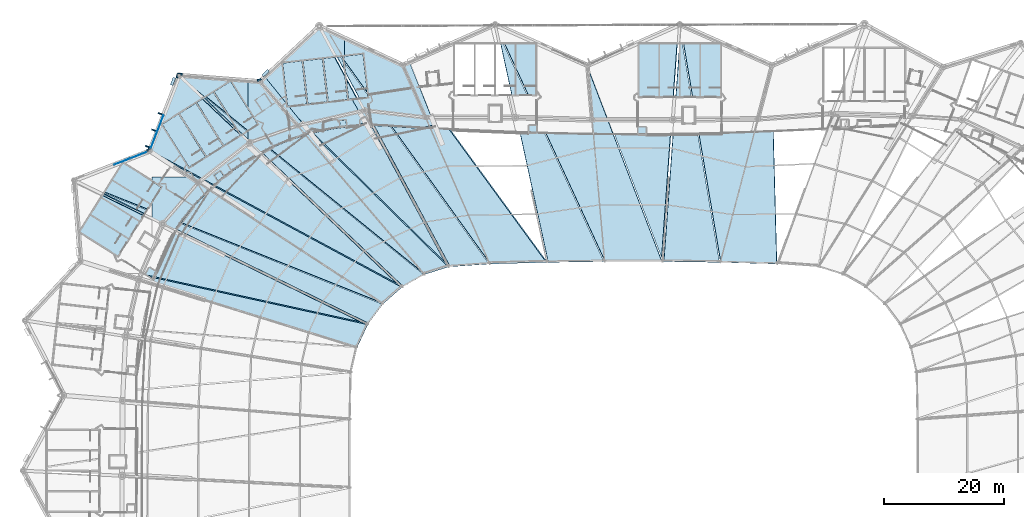
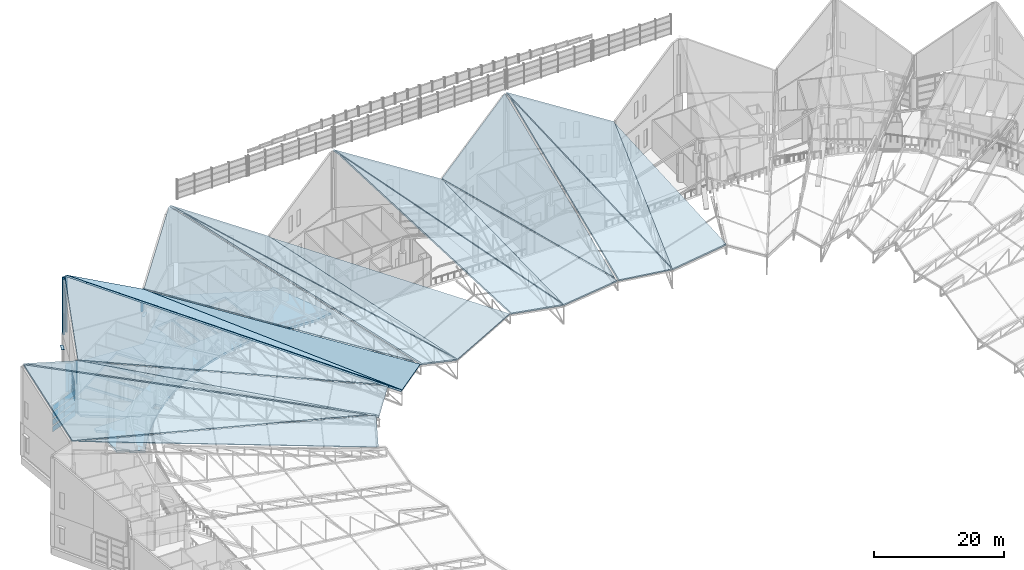
# One storey, part 236 of 344: 25 slabs, 24 plates, 2 elements without a shape of their own.
"""IFC4 building model written with IfcOpenShell, lengths in metres."""

import ifcopenshell
import ifcopenshell.guid

model = None  # the IFC model being written
_history = None  # IfcOwnerHistory: only IFC2X3 demands one
_inside = {}  # id of a spatial element -> (the spatial element, [elements in it])
_under = {}  # id of a project, library or spatial element -> (it, [spatial elements below it])
_declared = {}  # id of a project -> (the project, [libraries it declares])
_typed = {}  # id of a type object -> (the type object, [elements of that type])
_made_of = {}  # id of a material, layer set ... -> (it, [elements and type objects made of it])


def new_model(schema):
    """Start an empty IFC model of exactly this schema.

    Asked for "IFC4X3", IfcOpenShell would pick the latest addendum, in which some entities
    have other attributes; the version numbers below select the first issue.
    IFC2X3 requires an IfcOwnerHistory on every rooted entity: one is made here for all.
    """
    global model, _history
    if schema == "IFC4X3":
        model = ifcopenshell.file(schema_version=(4, 3, 0, 0))
    else:
        model = ifcopenshell.file(schema=schema)
    _inside.clear()
    _under.clear()
    _declared.clear()
    _typed.clear()
    _made_of.clear()
    _history = None
    if model.schema == "IFC2X3":
        org = make("IfcOrganization", Name="unknown")
        user = make(
            "IfcPersonAndOrganization",
            ThePerson=make("IfcPerson", FamilyName="unknown"),
            TheOrganization=org,
        )
        app = make(
            "IfcApplication",
            ApplicationDeveloper=org,
            Version="unknown",
            ApplicationFullName="unknown",
            ApplicationIdentifier="unknown",
        )
        _history = make(
            "IfcOwnerHistory",
            OwningUser=user,
            OwningApplication=app,
            ChangeAction="ADDED",
            CreationDate=0,
        )
    return model


def make(cls, **values):
    """One entity of the class cls with the attributes given. An attribute that is None is left unset."""
    return model.create_entity(
        cls, **{name: value for name, value in values.items() if value is not None}
    )


def rooted(cls, **values):
    """An entity with a GlobalId (a new one), such as an element, a storey or a relation."""
    return make(cls, GlobalId=ifcopenshell.guid.new(), OwnerHistory=_history, **values)


def si_unit(unit_type, name, prefix=None):
    """IfcSIUnit, for example si_unit("LENGTHUNIT", "METRE", prefix="MILLI")."""
    return make("IfcSIUnit", UnitType=unit_type, Prefix=prefix, Name=name)


def assignment(units):
    """IfcUnitAssignment: the units of a project."""
    return None if units is None else make("IfcUnitAssignment", Units=units)


def point(xyz):
    """IfcCartesianPoint."""
    return None if xyz is None else make("IfcCartesianPoint", Coordinates=xyz)


def direction(xyz):
    """IfcDirection."""
    return None if xyz is None else make("IfcDirection", DirectionRatios=xyz)


def frame(location, z_axis=None, x_axis=None):
    """IfcAxis2Placement3D, a coordinate frame: its origin and axes. An axis left out is left unset."""
    return make(
        "IfcAxis2Placement3D",
        Location=point(location),
        Axis=direction(z_axis),
        RefDirection=direction(x_axis),
    )


def frame_2d(location, x_axis=None):
    """IfcAxis2Placement2D, a coordinate frame in the plane: its origin and x axis."""
    return make(
        "IfcAxis2Placement2D", Location=point(location), RefDirection=direction(x_axis)
    )


def origin():
    """The frame at (0, 0, 0) with its axes left unset."""
    return frame((0.0, 0.0, 0.0))


def origin_2d():
    """The frame at (0, 0) in the plane with its x axis left unset."""
    return frame_2d((0.0, 0.0))


def place(relative_to, where):
    """IfcLocalPlacement: puts the frame where relative to a parent placement (None: the world)."""
    return make(
        "IfcLocalPlacement", PlacementRelTo=relative_to, RelativePlacement=where
    )


def context(
    kind, dimensions, precision=None, world=None, true_north=None, identifier=None
):
    """IfcGeometricRepresentationContext, for example the 3D "Model" context."""
    return make(
        "IfcGeometricRepresentationContext",
        ContextIdentifier=identifier,
        ContextType=kind,
        CoordinateSpaceDimension=dimensions,
        Precision=precision,
        WorldCoordinateSystem=world,
        TrueNorth=true_north,
    )


def subcontext(parent, identifier, kind, view, scale=None):
    """IfcGeometricRepresentationSubContext, for example "Body" below "Model"."""
    return make(
        "IfcGeometricRepresentationSubContext",
        ContextIdentifier=identifier,
        ContextType=kind,
        ParentContext=parent,
        TargetScale=scale,
        TargetView=view,
    )


def project(units=None, contexts=None):
    """IfcProject with its units and contexts."""
    return rooted(
        "IfcProject",
        Name="project",
        RepresentationContexts=contexts,
        UnitsInContext=assignment(units),
    )


def spatial(cls, under=None, at=None, **own):
    """A site, building, storey or space (cls), placed at a placement, below another one or the project."""
    s = rooted(cls, ObjectPlacement=at, **own)
    if under is not None:
        _under.setdefault(under.id(), (under, []))[1].append(s)
    return s


def polyline(points):
    """IfcPolyline through the points."""
    return make("IfcPolyline", Points=[point(p) for p in points])


def profile(cls, at=None, kind="AREA", **sizes):
    """A parametric profile (cls). Its sizes go by their IFC names, for example OverallWidth=200.0."""
    return make(cls, ProfileType=kind, Position=at, **sizes)


def rectangle(**sizes):
    """IfcRectangleProfileDef."""
    return profile("IfcRectangleProfileDef", **sizes)


def outline(outer, holes=None, kind="AREA"):
    """IfcArbitraryClosedProfileDef: a profile drawn as a closed curve; with holes, ...WithVoids."""
    if holes is None:
        return make("IfcArbitraryClosedProfileDef", ProfileType=kind, OuterCurve=outer)
    return make(
        "IfcArbitraryProfileDefWithVoids",
        ProfileType=kind,
        OuterCurve=outer,
        InnerCurves=holes,
    )


def extrude(swept, where, along, depth):
    """IfcExtrudedAreaSolid: the profile swept, set in the frame where, extruded along a direction by depth."""
    return make(
        "IfcExtrudedAreaSolid",
        SweptArea=swept,
        Position=where,
        ExtrudedDirection=direction(along),
        Depth=depth,
    )


def shape(context_of_items, identifier, shape_type, items):
    """IfcShapeRepresentation: the items that make up one representation, for example the "Body"."""
    return make(
        "IfcShapeRepresentation",
        ContextOfItems=context_of_items,
        RepresentationIdentifier=identifier,
        RepresentationType=shape_type,
        Items=items,
    )


def material(Name=None, Category=None):
    """IfcMaterial."""
    return make("IfcMaterial", Name=Name, Category=Category)


def layer(
    of_material, thickness, ventilated=None, Name=None, Category=None, Priority=None
):
    """IfcMaterialLayer: one layer of a wall or slab, of a material (None: an air gap)."""
    return make(
        "IfcMaterialLayer",
        Material=of_material,
        LayerThickness=thickness,
        IsVentilated=ventilated,
        Name=Name,
        Category=Category,
        Priority=Priority,
    )


def layer_set(layers, Name=None):
    """IfcMaterialLayerSet."""
    return make("IfcMaterialLayerSet", MaterialLayers=layers, LayerSetName=Name)


def made_of(thing, what):
    """Note that an element or type object is made of a material, layer set ...; save() writes the relation."""
    if what is not None:
        _made_of.setdefault(what.id(), (what, []))[1].append(thing)
    return thing


def type_object(cls, material=None, **own):
    """A type object (cls), such as IfcWallType, which elements share."""
    return made_of(rooted(cls, **own), material)


def element(
    cls,
    number,
    at=None,
    inside=None,
    cuts=None,
    type_object=None,
    material=None,
    context=None,
    identifier="Body",
    shape_type=None,
    held_by="IfcProductDefinitionShape",
    body=None,
    shapes=None,
    **own,
):
    """One element of the class cls, such as IfcWall. Its Tag is "e" and its number.

    at: its placement. inside: the storey or other place that contains it. cuts: it is an
    opening in that element (IfcRelVoidsElement). A single representation is given by context,
    identifier, shape_type and body (its items); several are given by shapes. held_by: the class
    of the entity that holds the representations. save() writes the other relations.
    """
    e = rooted(cls, Tag="e%d" % number, ObjectPlacement=at, **own)
    if body is not None:
        shapes = [shape(context, identifier, shape_type, body)]
    if shapes is not None:
        e.Representation = make(held_by, Representations=shapes)
    if inside is not None:
        _inside.setdefault(inside.id(), (inside, []))[1].append(e)
    if cuts is not None:
        rooted(
            "IfcRelVoidsElement", RelatingBuildingElement=cuts, RelatedOpeningElement=e
        )
    if type_object is not None:
        _typed.setdefault(type_object.id(), (type_object, []))[1].append(e)
    return made_of(e, material)


def aggregate(whole, parts):
    """IfcRelAggregates: a whole, such as a stair, and the parts it consists of."""
    return rooted("IfcRelAggregates", RelatingObject=whole, RelatedObjects=parts)


def save(model, path):
    """Write the relations noted so far, then the file.

    IfcRelAggregates (storeys below a building ...), IfcRelContainedInSpatialStructure (elements
    in a storey), IfcRelDefinesByType, IfcRelAssociatesMaterial and IfcRelDeclares: one each for
    every whole, place, type object, material and project.
    """
    for whole, parts in _under.values():
        aggregate(whole, parts)
    for where, things in _inside.values():
        rooted(
            "IfcRelContainedInSpatialStructure",
            RelatedElements=things,
            RelatingStructure=where,
        )
    for kind, things in _typed.values():
        rooted("IfcRelDefinesByType", RelatedObjects=things, RelatingType=kind)
    for what, things in _made_of.values():
        rooted("IfcRelAssociatesMaterial", RelatedObjects=things, RelatingMaterial=what)
    for by, libraries in _declared.values():
        rooted("IfcRelDeclares", RelatingContext=by, RelatedDefinitions=libraries)
    model.write(path)


model = new_model("IFC4")

# Units and contexts
model_context = context("Model", 3, precision=1e-05, world=origin(), true_north=direction((0.0, 1.0)))
body_context = subcontext(model_context, "Body", "Model", "MODEL_VIEW")
ifc_project = project(units=[si_unit("LENGTHUNIT", "METRE"), si_unit("AREAUNIT", "SQUARE_METRE"), si_unit("VOLUMEUNIT", "CUBIC_METRE"), si_unit("PLANEANGLEUNIT", "RADIAN"), si_unit("MASSUNIT", "GRAM", prefix="KILO")], contexts=[model_context])

# Site, building, storey
site_placement = place(None, origin())
site = spatial("IfcSite", under=ifc_project, at=site_placement, CompositionType="ELEMENT")
building_placement = place(site_placement, origin())
building = spatial("IfcBuilding", under=site, at=building_placement, Name="Meseta Stadium", CompositionType="ELEMENT")
storey_placement = place(building_placement, frame((0.0, 0.0, 24.0)))
storey = spatial("IfcBuildingStorey", under=building, at=storey_placement, Name="L04", CompositionType="ELEMENT", Elevation=24.0)

# Plates
ifc_material_1 = material(Name="White precast concrete C40/50", Category="concrete")
ifc_layer_1 = layer(ifc_material_1, 0.199951171875)
ifc_layer_set_1 = layer_set([ifc_layer_1], Name="Brise-soleil fin 200x900")
plate_type_1 = type_object("IfcPlateType", Name="Brise-soleil fin 200x900", PredefinedType="USERDEFINED", material=ifc_layer_set_1)
for number, where, z_axis, x_axis, name in (
    (1, (-78.538818359375, 90.4951171875, 0.0), (0.0, 0.0, 1.0), (-0.363280249803, -0.931679912901, 0.0), "Brise-soleil fin F24.1"),
    (2, (-79.601318359375, 87.77001953125, 0.0), (0.0, 0.0, 1.0), (-0.363280249803, -0.931679912901, 0.0), "Brise-soleil fin F24.2"),
    (3, (-80.663818359375, 85.044921875, 0.0), (0.0, 0.0, 1.0), (-0.363280249803, -0.931679912901, 0.0), "Brise-soleil fin F24.3"),
):
    element("IfcPlate", number, at=place(storey_placement, frame(where, z_axis=z_axis, x_axis=x_axis)), inside=storey, type_object=plate_type_1, Name=name, ObjectType="FIN", PredefinedType="USERDEFINED", context=body_context, shape_type="SweptSolid", body=[
        extrude(rectangle(XDim=0.199951171875, YDim=0.89990234375, at=origin_2d()), origin(), (0.0, 0.0, 1.0), 5.35009765625),
    ])

# Curtain wall, plates
ifc_material_2 = material(Name="Steel S355", Category="steel")
ifc_layer_2 = layer(ifc_material_2, 0.300048828125)
ifc_layer_set_2 = layer_set([ifc_layer_2], Name="Valley atrium curtain wall")
curtain_wall_type = type_object("IfcCurtainWallType", Name="Valley atrium curtain wall", PredefinedType="NOTDEFINED", material=ifc_layer_set_2)
curtain_wall_1_placement = place(storey_placement, origin())
curtain_wall_1 = element("IfcCurtainWall", 4, at=curtain_wall_1_placement, inside=storey, type_object=curtain_wall_type, Name="Valley atrium glazing F24", PredefinedType="NOTDEFINED")
ifc_material_3 = material(Name="Glass", Category="glass")
ifc_layer_3 = layer(ifc_material_3, 0.035888671875)
ifc_layer_set_3 = layer_set([ifc_layer_3], Name="CW glass panel 36")
plate_type_2 = type_object("IfcPlateType", Name="CW glass panel 36", PredefinedType="CURTAIN_PANEL", material=ifc_layer_set_3)
plate_1_placement = place(storey_placement, frame((-78.580810546875, 88.94189453125, 0.199951171875), z_axis=(0.0, 0.0, 1.0), x_axis=(-0.363280249803, -0.931679912901, 0.0)))
plate_1 = element("IfcPlate", 5, at=plate_1_placement, type_object=plate_type_2, Name="CWA panel 1.1", PredefinedType="CURTAIN_PANEL", context=body_context, shape_type="SweptSolid", body=[
    extrude(rectangle(XDim=2.77490234375, YDim=0.035888671875, at=origin_2d()), origin(), (0.0, 0.0, 1.0), 1.03759765625),
])
plate_2_placement = place(storey_placement, frame((-78.580810546875, 88.94189453125, 1.4375), z_axis=(0.0, 0.0, 1.0), x_axis=(-0.363280249803, -0.931679912901, 0.0)))
plate_2 = element("IfcPlate", 6, at=plate_2_placement, type_object=plate_type_2, Name="CWA panel 1.2", PredefinedType="CURTAIN_PANEL", context=body_context, shape_type="SweptSolid", body=[
    extrude(rectangle(XDim=2.77490234375, YDim=0.035888671875, at=origin_2d()), origin(), (0.0, 0.0, 1.0), 1.137451171875),
])
plate_3_placement = place(storey_placement, frame((-78.580810546875, 88.94189453125, 2.77490234375), z_axis=(0.0, 0.0, 1.0), x_axis=(-0.363280249803, -0.931679912901, 0.0)))
plate_3 = element("IfcPlate", 7, at=plate_3_placement, type_object=plate_type_2, Name="CWA panel 1.3", PredefinedType="CURTAIN_PANEL", context=body_context, shape_type="SweptSolid", body=[
    extrude(rectangle(XDim=2.77490234375, YDim=0.035888671875, at=origin_2d()), origin(), (0.0, 0.0, 1.0), 1.137451171875),
])
plate_4_placement = place(storey_placement, frame((-78.580810546875, 88.94189453125, 4.112548828125), z_axis=(0.0, 0.0, 1.0), x_axis=(-0.363280249803, -0.931679912901, 0.0)))
plate_4 = element("IfcPlate", 8, at=plate_4_placement, type_object=plate_type_2, Name="CWA panel 1.4", PredefinedType="CURTAIN_PANEL", context=body_context, shape_type="SweptSolid", body=[
    extrude(rectangle(XDim=2.77490234375, YDim=0.035888671875, at=origin_2d()), origin(), (0.0, 0.0, 1.0), 1.03759765625),
])
plate_5_placement = place(storey_placement, frame((-79.6435546875, 86.216796875, 0.199951171875), z_axis=(0.0, 0.0, 1.0), x_axis=(-0.363280249803, -0.931679912901, 0.0)))
plate_5 = element("IfcPlate", 9, at=plate_5_placement, type_object=plate_type_2, Name="CWA panel 2.1", PredefinedType="CURTAIN_PANEL", context=body_context, shape_type="SweptSolid", body=[
    extrude(rectangle(XDim=2.77490234375, YDim=0.035888671875, at=origin_2d()), origin(), (0.0, 0.0, 1.0), 1.03759765625),
])
plate_6_placement = place(storey_placement, frame((-79.6435546875, 86.216796875, 1.4375), z_axis=(0.0, 0.0, 1.0), x_axis=(-0.363280249803, -0.931679912901, 0.0)))
plate_6 = element("IfcPlate", 10, at=plate_6_placement, type_object=plate_type_2, Name="CWA panel 2.2", PredefinedType="CURTAIN_PANEL", context=body_context, shape_type="SweptSolid", body=[
    extrude(rectangle(XDim=2.77490234375, YDim=0.035888671875, at=origin_2d()), origin(), (0.0, 0.0, 1.0), 1.137451171875),
])
plate_7_placement = place(storey_placement, frame((-79.6435546875, 86.216796875, 2.77490234375), z_axis=(0.0, 0.0, 1.0), x_axis=(-0.363280249803, -0.931679912901, 0.0)))
plate_7 = element("IfcPlate", 11, at=plate_7_placement, type_object=plate_type_2, Name="CWA panel 2.3", PredefinedType="CURTAIN_PANEL", context=body_context, shape_type="SweptSolid", body=[
    extrude(rectangle(XDim=2.77490234375, YDim=0.035888671875, at=origin_2d()), origin(), (0.0, 0.0, 1.0), 1.137451171875),
])
plate_8_placement = place(storey_placement, frame((-79.6435546875, 86.216796875, 4.112548828125), z_axis=(0.0, 0.0, 1.0), x_axis=(-0.363280249803, -0.931679912901, 0.0)))
plate_8 = element("IfcPlate", 12, at=plate_8_placement, type_object=plate_type_2, Name="CWA panel 2.4", PredefinedType="CURTAIN_PANEL", context=body_context, shape_type="SweptSolid", body=[
    extrude(rectangle(XDim=2.77490234375, YDim=0.035888671875, at=origin_2d()), origin(), (0.0, 0.0, 1.0), 1.03759765625),
])
aggregate(curtain_wall_1, [plate_1, plate_2, plate_3, plate_4, plate_5, plate_6, plate_7, plate_8])

curtain_wall_2_placement = place(storey_placement, origin())
curtain_wall_2 = element("IfcCurtainWall", 13, at=curtain_wall_2_placement, inside=storey, type_object=curtain_wall_type, Name="Valley atrium glazing F25", PredefinedType="NOTDEFINED")
plate_9_placement = place(storey_placement, frame((-82.216796875, 83.6435546875, 0.199951171875), z_axis=(0.0, 0.0, 1.0), x_axis=(-0.931679912901, -0.363280249803, 0.0)))
plate_9 = element("IfcPlate", 14, at=plate_9_placement, type_object=plate_type_2, Name="CWA panel 1.1", PredefinedType="CURTAIN_PANEL", context=body_context, shape_type="SweptSolid", body=[
    extrude(rectangle(XDim=2.77490234375, YDim=0.035888671875, at=origin_2d()), origin(), (0.0, 0.0, 1.0), 1.03759765625),
])
plate_10_placement = place(storey_placement, frame((-82.216796875, 83.6435546875, 1.4375), z_axis=(0.0, 0.0, 1.0), x_axis=(-0.931679912901, -0.363280249803, 0.0)))
plate_10 = element("IfcPlate", 15, at=plate_10_placement, type_object=plate_type_2, Name="CWA panel 1.2", PredefinedType="CURTAIN_PANEL", context=body_context, shape_type="SweptSolid", body=[
    extrude(rectangle(XDim=2.77490234375, YDim=0.035888671875, at=origin_2d()), origin(), (0.0, 0.0, 1.0), 1.137451171875),
])
plate_11_placement = place(storey_placement, frame((-82.216796875, 83.6435546875, 2.77490234375), z_axis=(0.0, 0.0, 1.0), x_axis=(-0.931679912901, -0.363280249803, 0.0)))
plate_11 = element("IfcPlate", 16, at=plate_11_placement, type_object=plate_type_2, Name="CWA panel 1.3", PredefinedType="CURTAIN_PANEL", context=body_context, shape_type="SweptSolid", body=[
    extrude(rectangle(XDim=2.77490234375, YDim=0.035888671875, at=origin_2d()), origin(), (0.0, 0.0, 1.0), 1.137451171875),
])
plate_12_placement = place(storey_placement, frame((-82.216796875, 83.6435546875, 4.112548828125), z_axis=(0.0, 0.0, 1.0), x_axis=(-0.931679912901, -0.363280249803, 0.0)))
plate_12 = element("IfcPlate", 17, at=plate_12_placement, type_object=plate_type_2, Name="CWA panel 1.4", PredefinedType="CURTAIN_PANEL", context=body_context, shape_type="SweptSolid", body=[
    extrude(rectangle(XDim=2.77490234375, YDim=0.035888671875, at=origin_2d()), origin(), (0.0, 0.0, 1.0), 1.03759765625),
])
plate_13_placement = place(storey_placement, frame((-84.94189453125, 82.580810546875, 0.199951171875), z_axis=(0.0, 0.0, 1.0), x_axis=(-0.931679912901, -0.363280249803, 0.0)))
plate_13 = element("IfcPlate", 18, at=plate_13_placement, type_object=plate_type_2, Name="CWA panel 2.1", PredefinedType="CURTAIN_PANEL", context=body_context, shape_type="SweptSolid", body=[
    extrude(rectangle(XDim=2.77490234375, YDim=0.035888671875, at=origin_2d()), origin(), (0.0, 0.0, 1.0), 1.03759765625),
])
plate_14_placement = place(storey_placement, frame((-84.94189453125, 82.580810546875, 1.4375), z_axis=(0.0, 0.0, 1.0), x_axis=(-0.931679912901, -0.363280249803, 0.0)))
plate_14 = element("IfcPlate", 19, at=plate_14_placement, type_object=plate_type_2, Name="CWA panel 2.2", PredefinedType="CURTAIN_PANEL", context=body_context, shape_type="SweptSolid", body=[
    extrude(rectangle(XDim=2.77490234375, YDim=0.035888671875, at=origin_2d()), origin(), (0.0, 0.0, 1.0), 1.137451171875),
])
plate_15_placement = place(storey_placement, frame((-84.94189453125, 82.580810546875, 2.77490234375), z_axis=(0.0, 0.0, 1.0), x_axis=(-0.931679912901, -0.363280249803, 0.0)))
plate_15 = element("IfcPlate", 20, at=plate_15_placement, type_object=plate_type_2, Name="CWA panel 2.3", PredefinedType="CURTAIN_PANEL", context=body_context, shape_type="SweptSolid", body=[
    extrude(rectangle(XDim=2.77490234375, YDim=0.035888671875, at=origin_2d()), origin(), (0.0, 0.0, 1.0), 1.137451171875),
])
plate_16_placement = place(storey_placement, frame((-84.94189453125, 82.580810546875, 4.112548828125), z_axis=(0.0, 0.0, 1.0), x_axis=(-0.931679912901, -0.363280249803, 0.0)))
plate_16 = element("IfcPlate", 21, at=plate_16_placement, type_object=plate_type_2, Name="CWA panel 2.4", PredefinedType="CURTAIN_PANEL", context=body_context, shape_type="SweptSolid", body=[
    extrude(rectangle(XDim=2.77490234375, YDim=0.035888671875, at=origin_2d()), origin(), (0.0, 0.0, 1.0), 1.03759765625),
])
aggregate(curtain_wall_2, [plate_9, plate_10, plate_11, plate_12, plate_13, plate_14, plate_15, plate_16])

# Slabs
ifc_material_4 = material(Name="Concrete C40/50", Category="concrete")
ifc_layer_4 = layer(ifc_material_4, 0.39990234375)
ifc_layer_set_4 = layer_set([ifc_layer_4], Name="Floor slab 400")
slab_type_1 = type_object("IfcSlabType", Name="Floor slab 400", PredefinedType="FLOOR", material=ifc_layer_set_4)
slab_1_placement = place(storey_placement, frame((0.0, 0.0, -0.39990234375)))
element("IfcSlab", 22, at=slab_1_placement, inside=storey, type_object=slab_type_1, Name="Floor slab L04 sector 21 panel 05", PredefinedType="FLOOR", context=body_context, shape_type="SweptSolid", body=[
    extrude(outline(polyline([(-73.699951171875, 80.0), (-80.0, 80.0), (-80.0, 79.276611328125), (-78.505859375, 78.337646484375), (-80.0, 75.959716796875), (-80.0, 73.154296875), (-78.197998046875, 72.27197265625), (-78.303466796875, 72.0263671875), (-76.15234375, 70.99169921875), (-75.256103515625, 72.287353515625), (-74.30859375, 73.546142578125), (-73.31103515625, 74.76611328125), (-72.264892578125, 75.945068359375), (-71.172119140625, 77.0810546875), (-70.034423828125, 78.172607421875), (-71.885986328125, 79.422607421875), (-72.31201171875, 79.091064453125), (-73.699951171875, 80.0)])), origin(), (0.0, 0.0, 1.0), 0.39990234375),
])
slab_2_placement = place(storey_placement, frame((0.0, 0.0, -0.39990234375)))
element("IfcSlab", 23, at=slab_2_placement, inside=storey, type_object=slab_type_1, Name="Floor slab L04 sector 21 panel 06", PredefinedType="FLOOR", context=body_context, shape_type="SweptSolid", body=[
    extrude(outline(polyline([(-75.825927734375, 96.00732421875), (-75.818115234375, 96.0), (-75.828857421875, 96.0), (-80.124267578125, 84.98388671875), (-80.0, 84.89990234375), (-80.0, 84.126220703125), (-72.31201171875, 79.091064453125), (-71.885986328125, 79.422607421875), (-70.034423828125, 78.172607421875), (-68.853515625, 79.217529296875), (-67.894287109375, 80.0), (-67.63134765625, 80.21435546875), (-66.36962890625, 81.161376953125), (-65.07080078125, 82.05712890625), (-63.736572265625, 82.89990234375), (-62.369384765625, 83.688720703125), (-64.0, 85.181396484375), (-64.0, 85.5615234375), (-63.731201171875, 85.77099609375), (-64.0, 86.02587890625), (-64.0, 87.8203125), (-65.1689453125, 87.085693359375), (-69.63818359375, 94.1982421875), (-66.9287109375, 95.90087890625), (-64.0, 91.239990234375), (-64.0, 96.023193359375), (-75.474609375, 96.908447265625), (-75.825927734375, 96.00732421875)]), holes=[polyline([(-69.62158203125, 80.357177734375), (-68.605712890625, 80.99560546875), (-67.967041015625, 79.9794921875), (-68.983154296875, 79.341064453125), (-69.62158203125, 80.357177734375)]), polyline([(-65.33837890625, 86.9794921875), (-68.0478515625, 85.27685546875), (-72.516845703125, 92.389404296875), (-69.807373046875, 94.091796875), (-65.33837890625, 86.9794921875)]), polyline([(-71.09619140625, 83.361572265625), (-73.8056640625, 81.6591796875), (-78.274658203125, 88.771484375), (-75.565185546875, 90.47412109375), (-71.09619140625, 83.361572265625)]), polyline([(-68.21728515625, 85.17041015625), (-70.9267578125, 83.468017578125), (-75.395751953125, 90.58056640625), (-72.686279296875, 92.282958984375), (-68.21728515625, 85.17041015625)])]), origin(), (0.0, 0.0, 1.0), 0.39990234375),
])
slab_3_placement = place(storey_placement, frame((0.0, 0.0, -0.39990234375)))
element("IfcSlab", 24, at=slab_3_placement, inside=storey, type_object=slab_type_1, Name="Floor slab L04 sector 21 panel 07", PredefinedType="FLOOR", context=body_context, shape_type="SweptSolid", body=[
    extrude(outline(polyline([(-62.051513671875, 95.872802734375), (-64.0, 96.023193359375), (-64.0, 91.239990234375), (-62.45947265625, 88.788330078125), (-64.0, 87.8203125), (-64.0, 86.02587890625), (-63.731201171875, 85.77099609375), (-64.0, 85.5615234375), (-64.0, 85.181396484375), (-62.369384765625, 83.688720703125), (-60.97119140625, 84.422119140625), (-59.54443359375, 85.098388671875), (-58.091552734375, 85.717041015625), (-56.614501953125, 86.27685546875), (-55.115966796875, 86.77685546875), (-53.59814453125, 87.216064453125), (-57.296142578125, 91.798095703125), (-57.449951171875, 91.78076171875), (-57.477294921875, 92.0224609375), (-61.21435546875, 96.653076171875), (-62.051513671875, 95.872802734375)])), origin(), (0.0, 0.0, 1.0), 0.39990234375),
])
slab_4_placement = place(storey_placement, frame((0.0, 0.0, -0.39990234375)))
element("IfcSlab", 25, at=slab_4_placement, inside=storey, type_object=slab_type_1, Name="Floor slab L04 sector 21 panel 08", PredefinedType="FLOOR", context=body_context, shape_type="SweptSolid", body=[
    extrude(outline(polyline([(-47.38671875, 88.352783203125), (-46.056396484375, 88.459716796875), (-44.609619140625, 89.165771484375), (-44.50439453125, 89.01318359375), (-44.232421875, 88.542236328125), (-44.232177734375, 88.542236328125), (-46.7978515625, 92.98095703125), (-47.314208984375, 92.9228515625), (-48.1201171875, 100.077392578125), (-48.0, 100.091064453125), (-48.0, 103.0966796875), (-52.202880859375, 105.0517578125), (-61.21435546875, 96.653076171875), (-57.477294921875, 92.0224609375), (-58.256103515625, 98.935302734375), (-55.076171875, 99.293701171875), (-54.27001953125, 92.138916015625), (-57.296142578125, 91.798095703125), (-53.59814453125, 87.216064453125), (-52.06396484375, 87.593994140625), (-50.515380859375, 87.90966796875), (-48.95556640625, 88.162841796875), (-47.38671875, 88.352783203125)]), holes=[polyline([(-48.825439453125, 89.3662109375), (-47.781982421875, 89.483642578125), (-47.669921875, 88.489990234375), (-48.71337890625, 88.37255859375), (-48.825439453125, 89.3662109375)]), polyline([(-47.5126953125, 92.900390625), (-50.692626953125, 92.5419921875), (-51.498779296875, 99.69677734375), (-48.319091796875, 100.05517578125), (-47.5126953125, 92.900390625)]), polyline([(-54.0712890625, 92.161376953125), (-54.87744140625, 99.316162109375), (-51.697509765625, 99.67431640625), (-50.8916015625, 92.519775390625), (-54.0712890625, 92.161376953125)])]), origin(), (0.0, 0.0, 1.0), 0.39990234375),
])
slab_5_placement = place(storey_placement, frame((0.0, 0.0, -0.39990234375)))
element("IfcSlab", 26, at=slab_5_placement, inside=storey, type_object=slab_type_1, Name="Floor slab L04 sector 21 panel 09", PredefinedType="FLOOR", context=body_context, shape_type="SweptSolid", body=[
    extrude(outline(polyline([(-37.247802734375, 88.22119140625), (-35.716552734375, 88.13720703125), (-33.07177734375, 88.67626953125), (-32.9912109375, 88.510498046875), (-37.1953125, 99.104736328125), (-38.333251953125, 98.60009765625), (-48.0, 103.0966796875), (-48.0, 100.091064453125), (-44.9404296875, 100.435791015625), (-44.13427734375, 93.281005859375), (-46.7978515625, 92.98095703125), (-44.232177734375, 88.542236328125), (-42.652099609375, 88.54150390625), (-41.073486328125, 88.476806640625), (-39.499267578125, 88.348388671875), (-37.247802734375, 88.22119140625)])), origin(), (0.0, 0.0, 1.0), 0.39990234375),
])

# Plates
ifc_material_5 = material(Name="White precast concrete C40/50", Category="concrete")
ifc_layer_5 = layer(ifc_material_5, 0.320068359375)
ifc_layer_set_5 = layer_set([ifc_layer_5], Name="Fold closer plate 320")
plate_type_3 = type_object("IfcPlateType", Name="Fold closer plate 320", PredefinedType="USERDEFINED", material=ifc_layer_set_5)
plate_17_placement = place(storey_placement, frame((0.0, 0.0, 6.0)))
element("IfcPlate", 27, at=plate_17_placement, inside=storey, type_object=plate_type_3, Name="Pleated fascia fold closer L04 F22", ObjectType="CLADDING", PredefinedType="USERDEFINED", context=body_context, shape_type="SweptSolid", body=[
    extrude(outline(polyline([(-62.181396484375, 96.243896484375), (-62.47216796875, 96.266357421875), (-62.496826171875, 95.947265625), (-62.1865234375, 95.92333984375), (-62.1865234375, 95.998779296875), (-62.18212890625, 96.006103515625), (-61.96533203125, 96.0078125), (-61.75, 96.20849609375), (-61.96826171875, 96.442626953125), (-62.181396484375, 96.243896484375)])), origin(), (0.0, 0.0, 1.0), 3.954833984375),
])
plate_18_placement = place(storey_placement, frame((0.0, 0.0, 6.0)))
element("IfcPlate", 28, at=plate_18_placement, inside=storey, type_object=plate_type_3, Name="Pleated fascia fold closer L04 F23", ObjectType="CLADDING", PredefinedType="USERDEFINED", context=body_context, shape_type="SweptSolid", body=[
    extrude(outline(polyline([(-75.712890625, 97.2880859375), (-75.991455078125, 96.57373046875), (-75.693359375, 96.45751953125), (-75.599365234375, 96.698486328125), (-75.675537109375, 96.698486328125), (-75.684326171875, 96.70654296875), (-75.6845703125, 97.1083984375), (-75.681640625, 97.115478515625), (-75.674560546875, 97.118408203125), (-75.271728515625, 97.1181640625), (-75.2646484375, 97.1083984375), (-75.2646484375, 96.932373046875), (-74.973388671875, 96.909912109375), (-74.94873046875, 97.22900390625), (-75.712890625, 97.2880859375)])), origin(), (0.0, 0.0, 1.0), 10.4326171875),
])
plate_19_placement = place(storey_placement, frame((0.0, 0.0, 6.0)))
element("IfcPlate", 29, at=plate_19_placement, inside=storey, type_object=plate_type_3, Name="Pleated fascia fold closer L04 F24", ObjectType="CLADDING", PredefinedType="USERDEFINED", context=body_context, shape_type="SweptSolid", body=[
    extrude(outline(polyline([(-80.643310546875, 84.643310546875), (-80.9150390625, 84.53759765625), (-80.798828125, 84.2392578125), (-80.525390625, 84.345947265625), (-80.523681640625, 84.52099609375), (-80.515380859375, 84.525390625), (-80.345947265625, 84.525390625), (-80.2392578125, 84.798828125), (-80.53759765625, 84.9150390625), (-80.643310546875, 84.643310546875)])), origin(), (0.0, 0.0, 1.0), 3.930908203125),
])
ifc_material_6 = material(Name="White precast concrete C40/50", Category="concrete")
ifc_layer_6 = layer(ifc_material_6, 0.080078125)
ifc_layer_set_6 = layer_set([ifc_layer_6], Name="Louvre hood 1300x450")
plate_type_4 = type_object("IfcPlateType", Name="Louvre hood 1300x450", PredefinedType="USERDEFINED", material=ifc_layer_set_6)
for number, where, z_axis, x_axis, name in (
    (30, (-61.10693359375, 97.279296875, 4.25), (0.0, 0.0, 1.0), (-0.731544959663, -0.681793203245, 0.0), "Louvre hood L04 F22"),
    (31, (-76.49658203125, 95.897705078125, 4.25), (0.0, 0.0, 1.0), (-0.363280249803, -0.931679912901, 0.0), "Louvre hood L04 F24"),
):
    element("IfcPlate", number, at=place(storey_placement, frame(where, z_axis=z_axis, x_axis=x_axis)), inside=storey, type_object=plate_type_4, Name=name, ObjectType="LOUVRE", PredefinedType="USERDEFINED", context=body_context, shape_type="SweptSolid", body=[
        extrude(rectangle(XDim=1.300048828125, YDim=0.449951171875, at=origin_2d()), origin(), (0.0, 0.0, 1.0), 0.080078125),
    ])

# Slabs
ifc_material_7 = material(Name="Precast concrete C40/50", Category="concrete")
ifc_layer_7 = layer(ifc_material_7, 0.300048828125)
ifc_layer_set_7 = layer_set([ifc_layer_7], Name="Roof plate 300")
slab_type_2 = type_object("IfcSlabType", Name="Roof plate 300", PredefinedType="ROOF", material=ifc_layer_set_7)
slab_6_placement = place(storey_placement, frame((14.3896484375, 65.8369140625, 5.465087890625), z_axis=(-0.165548926831, -0.098312211043, 0.981289081762), x_axis=(0.251726707628, 0.957846773056, 0.138431297083)))
element("IfcSlab", 32, at=slab_6_placement, inside=storey, type_object=slab_type_2, Name="Roof panel RP-16 A", PredefinedType="ROOF", context=body_context, shape_type="SweptSolid", body=[
    extrude(outline(polyline([(0.0, 0.0), (33.84921700763762, 4.440892098500626e-16), (2.3333364658478857, -9.233014967693135), (0.0, 0.0)])), origin(), (0.0, 0.0, -1.0), 0.300048828125),
])
slab_7_placement = place(storey_placement, frame((7.793212890625, 104.06005859375, 16.621337890625), z_axis=(0.11251392774, -0.260462004022, 0.958905709924), x_axis=(0.161011455776, -0.947500731859, -0.276256536999)))
element("IfcSlab", 33, at=slab_7_placement, inside=storey, type_object=slab_type_2, Name="Roof panel RP-17 A", PredefinedType="ROOF", context=body_context, shape_type="SweptSolid", body=[
    extrude(outline(polyline([(0.0, 0.0), (40.33947246931415, 4.440892098500626e-16), (38.40641134347913, -9.123329902158174), (0.0, 0.0)])), origin(), (0.0, 0.0, -1.0), 0.300048828125),
])
slab_8_placement = place(storey_placement, frame((23.0, 98.60009765625, 10.199951171875), z_axis=(0.314114384877, -0.216152418995, 0.924451342676), x_axis=(-0.251724733376, -0.957847647129, -0.138428839102)))
element("IfcSlab", 34, at=slab_8_placement, inside=storey, type_object=slab_type_2, Name="Roof panel RP-17 B", PredefinedType="ROOF", context=body_context, shape_type="SweptSolid", body=[
    extrude(outline(polyline([(0.0, 0.0), (33.96974653994911, 6.661338147750939e-16), (-3.570136008492511, -17.616759738044504), (0.0, 0.0)])), origin(), (0.0, 0.0, -1.0), 0.300048828125),
])
slab_9_placement = place(storey_placement, frame((-4.80810546875, 65.981201171875, 5.4296875), z_axis=(-0.122221694867, -0.154100541251, 0.98046666465), x_axis=(-0.086387770374, 0.985775472991, 0.144166119385)))
element("IfcSlab", 35, at=slab_9_placement, inside=storey, type_object=slab_type_2, Name="Roof panel RP-18 A", PredefinedType="ROOF", context=body_context, shape_type="SweptSolid", body=[
    extrude(outline(polyline([(0.0, 0.0), (32.72625772439461, 4.440892098500626e-16), (-0.6506750290991975, -9.561993332927095), (0.0, 0.0)])), origin(), (0.0, 0.0, -1.0), 0.300048828125),
])
slab_10_placement = place(storey_placement, frame((7.444091796875, 105.30126953125, 16.901123046875), z_axis=(-0.312021683464, -0.220519718806, 0.924128520643), x_axis=(-0.06996097182, -0.964716315181, -0.253826503041)))
element("IfcSlab", 36, at=slab_10_placement, inside=storey, type_object=slab_type_2, Name="Roof panel RP-18 B", PredefinedType="ROOF", context=body_context, shape_type="SweptSolid", body=[
    extrude(outline(polyline([(0.0, 0.0), (40.04046053646094, 8.881784197001252e-16), (9.17099654900008, -15.181097177313053), (0.0, 0.0)])), origin(), (0.0, 0.0, -1.0), 0.300048828125),
])
slab_11_placement = place(storey_placement, frame((-22.47021484375, 104.014404296875, 16.614013671875), z_axis=(0.182068694626, -0.198639624225, 0.963012611613), x_axis=(0.404898813854, -0.877348342223, -0.257520556343)))
element("IfcSlab", 37, at=slab_11_placement, inside=storey, type_object=slab_type_2, Name="Roof panel RP-19 A", PredefinedType="ROOF", context=body_context, shape_type="SweptSolid", body=[
    extrude(outline(polyline([(0.0, 0.0), (43.35212170461413, -1.1102230246251565e-16), (39.288038602921766, -8.481455090191233), (0.0, 0.0)])), origin(), (0.0, 0.0, -1.0), 0.300048828125),
])
slab_12_placement = place(storey_placement, frame((-7.666748046875, 98.60009765625, 10.199951171875), z_axis=(0.364559092526, -0.103386485435, 0.92542309388), x_axis=(0.086393323791, -0.985775510811, -0.144162532894)))
element("IfcSlab", 38, at=slab_12_placement, inside=storey, type_object=slab_type_2, Name="Roof panel RP-19 B", PredefinedType="ROOF", context=body_context, shape_type="SweptSolid", body=[
    extrude(outline(polyline([(0.0, 0.0), (32.80327982106922, -2.220446049250313e-16), (-8.930147610636594, -15.562705536955415), (0.0, 0.0)])), origin(), (0.0, 0.0, -1.0), 0.300048828125),
])
slab_13_placement = place(storey_placement, frame((-23.879638671875, 65.576904296875, 2.066650390625), z_axis=(-0.4307783869, -0.389092115951, 0.814271027782), x_axis=(-0.391128290171, 0.893631736299, 0.22009311781)))
element("IfcSlab", 39, at=slab_13_placement, inside=storey, type_object=slab_type_2, Name="Roof panel RP-20 A", PredefinedType="ROOF", context=body_context, shape_type="SweptSolid", body=[
    extrude(outline(polyline([(0.0, 0.0), (36.567885101735804, -1.7763568394002505e-15), (-2.3225732533372305, -10.429728170889867), (0.0, 0.0)])), origin(), (0.0, 0.0, -1.0), 0.300048828125),
])
slab_14_placement = place(storey_placement, frame((-50.822265625, 102.957275390625, 16.242431640625), z_axis=(0.268832496562, -0.166037965694, 0.948767876111), x_axis=(0.557236513487, -0.776636980205, -0.293806856651)))
element("IfcSlab", 40, at=slab_14_placement, inside=storey, type_object=slab_type_2, Name="Roof panel RP-21 A", PredefinedType="ROOF", context=body_context, shape_type="SweptSolid", body=[
    extrude(outline(polyline([(0.0, 0.0), (48.14144663123507, -2.886579864025407e-15), (44.38867220081467, -5.539097148101872), (0.0, 0.0)])), origin(), (0.0, 0.0, -1.0), 0.300048828125),
])
slab_15_placement = place(storey_placement, frame((-38.333251953125, 98.60009765625, 10.199951171875), z_axis=(0.426394350818, -0.035976613797, 0.903821631103), x_axis=(0.391124887027, -0.893633652429, -0.220091385552)))
element("IfcSlab", 41, at=slab_15_placement, inside=storey, type_object=slab_type_2, Name="Roof panel RP-21 B", PredefinedType="ROOF", context=body_context, shape_type="SweptSolid", body=[
    extrude(outline(polyline([(0.0, 0.0), (36.48830552177411, -1.3322676295501878e-15), (-12.526927634564393, -10.783708417443977), (0.0, 0.0)])), origin(), (0.0, 0.0, -1.0), 0.300048828125),
])
slab_16_placement = place(storey_placement, frame((-34.722412109375, 63.827392578125, 1.150390625), z_axis=(-0.360916421507, -0.525393733271, 0.770519799697), x_axis=(-0.63441717513, 0.743897243989, 0.210075553753)))
element("IfcSlab", 42, at=slab_16_placement, inside=storey, type_object=slab_type_2, Name="Roof panel RP-22 A", PredefinedType="ROOF", context=body_context, shape_type="SweptSolid", body=[
    extrude(outline(polyline([(0.0, 0.0), (42.180462343461656, -1.7763568394002505e-15), (-1.0148325243263254, -4.845555356782491), (0.0, 0.0)])), origin(), (0.0, 0.0, -1.0), 0.300048828125),
])
slab_17_placement = place(storey_placement, frame((-31.35693359375, 65.9169921875, 4.1181640625), z_axis=(-0.226381316336, -0.411232276511, 0.882971978247), x_axis=(-0.455665117066, 0.845908011941, 0.277144252012)))
element("IfcSlab", 43, at=slab_17_placement, inside=storey, type_object=slab_type_2, Name="Roof panel RP-22 B", PredefinedType="ROOF", context=body_context, shape_type="SweptSolid", body=[
    extrude(outline(polyline([(0.0, 0.0), (46.091307824300955, -8.881784197001252e-16), (41.04596899227988, 13.853129866356792), (40.24167603511824, 13.582351681895899), (40.254369836110165, 13.561442896610268), (0.0, 0.0)])), origin(), (0.0, 0.0, -1.0), 0.300048828125),
])
slab_18_placement = place(storey_placement, frame((-72.882568359375, 94.69921875, 16.0322265625), z_axis=(0.54779584604, 0.300803760276, 0.780664338154), x_axis=(0.743250964943, -0.603340192305, -0.289065071326)))
element("IfcSlab", 44, at=slab_18_placement, inside=storey, type_object=slab_type_2, Name="Roof panel RP-23 A", PredefinedType="ROOF", context=body_context, shape_type="SweptSolid", body=[
    extrude(outline(polyline([(0.0, 0.0), (51.239409069978095, -7.105427357601002e-15), (48.9367376546824, -4.506966877746871), (0.0, 0.0)])), origin(), (0.0, 0.0, -1.0), 0.300048828125),
])
slab_19_placement = place(storey_placement, frame((-62.051513671875, 95.872802734375, 10.199951171875), z_axis=(0.456031817843, 0.140759087747, 0.878761549188), x_axis=(0.634416654878, -0.743898528647, -0.21007257577)))
element("IfcSlab", 45, at=slab_19_placement, inside=storey, type_object=slab_type_2, Name="Roof panel RP-23 B", PredefinedType="ROOF", context=body_context, shape_type="SweptSolid", body=[
    extrude(outline(polyline([(0.0, 0.0), (42.561090784928766, 8.881784197001252e-16), (-10.586290886831723, -10.48817554354645), (0.0, 0.0)])), origin(), (0.0, 0.0, -1.0), 0.300048828125),
])
slab_20_placement = place(storey_placement, frame((-79.59521484375, 83.861083984375, 10.02880859375), z_axis=(-0.211359391968, -0.587805651836, 0.780904426352), x_axis=(0.822450075377, -0.538648263459, -0.182849451147)))
element("IfcSlab", 46, at=slab_20_placement, inside=storey, type_object=slab_type_2, Name="Roof panel RP-24 A", PredefinedType="ROOF", context=body_context, shape_type="SweptSolid", body=[
    extrude(outline(polyline([(0.0, 0.0), (46.22235380711188, 3.552713678800501e-15), (46.76655452949982, 4.919636913283664), (46.44956022192299, 4.988834770935753), (0.0, 0.0)])), origin(), (0.0, 0.0, -1.0), 0.300048828125),
])
slab_21_placement = place(storey_placement, frame((-39.39697265625, 62.407470703125, 4.728271484375), z_axis=(-0.115773712435, -0.438137454935, 0.891421347115), x_axis=(-0.704897112853, 0.668530862383, 0.237037014689)))
element("IfcSlab", 47, at=slab_21_placement, inside=storey, type_object=slab_type_2, Name="Roof panel RP-24 B", PredefinedType="ROOF", context=body_context, shape_type="SweptSolid", body=[
    extrude(outline(polyline([(0.0, 0.0), (51.2964040186607, 0.0), (44.899076443237135, 13.270007126588999), (44.02688994119121, 13.012592419342798), (44.03555737325248, 12.99550889623082), (0.0, 0.0)])), origin(), (0.0, 0.0, -1.0), 0.300048828125),
])
slab_22_placement = place(storey_placement, frame((-89.67919921875, 78.095947265625, 16.080078125), z_axis=(0.417312863654, 0.451144123057, 0.788871950357), x_axis=(0.894440141066, -0.35741611344, -0.268757429485)))
element("IfcSlab", 48, at=slab_22_placement, inside=storey, type_object=slab_type_2, Name="Roof panel RP-25 A", PredefinedType="ROOF", context=body_context, shape_type="SweptSolid", body=[
    extrude(outline(polyline([(0.0, 0.0), (53.71944518025049, 8.881784197001252e-16), (51.91091469035091, -4.662647588330508), (0.0, 0.0)])), origin(), (0.0, 0.0, -1.0), 0.300048828125),
])
slab_23_placement = place(storey_placement, frame((-80.365478515625, 84.365478515625, 10.199951171875), z_axis=(0.374799579635, 0.271342926352, 0.886509047571), x_axis=(0.822451734128, -0.538646088581, -0.182848397003)))
element("IfcSlab", 49, at=slab_23_placement, inside=storey, type_object=slab_type_2, Name="Roof panel RP-25 B", PredefinedType="ROOF", context=body_context, shape_type="SweptSolid", body=[
    extrude(outline(polyline([(0.0, 0.0), (46.68687958796644, -3.1086244689504383e-15), (-8.835555157551614, -12.037070962543396), (0.0, 0.0)])), origin(), (0.0, 0.0, -1.0), 0.300048828125),
])
slab_24_placement = place(storey_placement, frame((-90.99609375, 65.77880859375, 10.03759765625), z_axis=(-0.048862156648, -0.622204963522, 0.781328018835), x_axis=(0.940312678754, -0.292425859272, -0.174066605081)))
element("IfcSlab", 50, at=slab_24_placement, inside=storey, type_object=slab_type_2, Name="Roof panel RP-26 A", PredefinedType="ROOF", context=body_context, shape_type="SweptSolid", body=[
    extrude(outline(polyline([(0.0, 0.0), (47.97637492722115, -8.881784197001252e-16), (47.974867152452106, 5.06483267304325), (47.60232846226147, 5.135035650253329), (0.0, 0.0)])), origin(), (0.0, 0.0, -1.0), 0.300048828125),
])
slab_25_placement = place(storey_placement, frame((-45.359619140625, 55.964599609375, 5.04443359375), z_axis=(0.000888482704, -0.451857877707, 0.892089496044), x_axis=(-0.876475369995, 0.429141275438, 0.21823998604)))
element("IfcSlab", 51, at=slab_25_placement, inside=storey, type_object=slab_type_2, Name="Roof panel RP-26 B", PredefinedType="ROOF", context=body_context, shape_type="SweptSolid", body=[
    extrude(outline(polyline([(0.0, 0.0), (54.229153717808934, 4.440892098500626e-15), (46.27818034997449, 12.376424145065808), (45.38539477209741, 12.138158020741681), (45.39346772567007, 12.120418580706582), (0.0, 0.0)])), origin(), (0.0, 0.0, -1.0), 0.300048828125),
])

save(model, "model.ifc")
